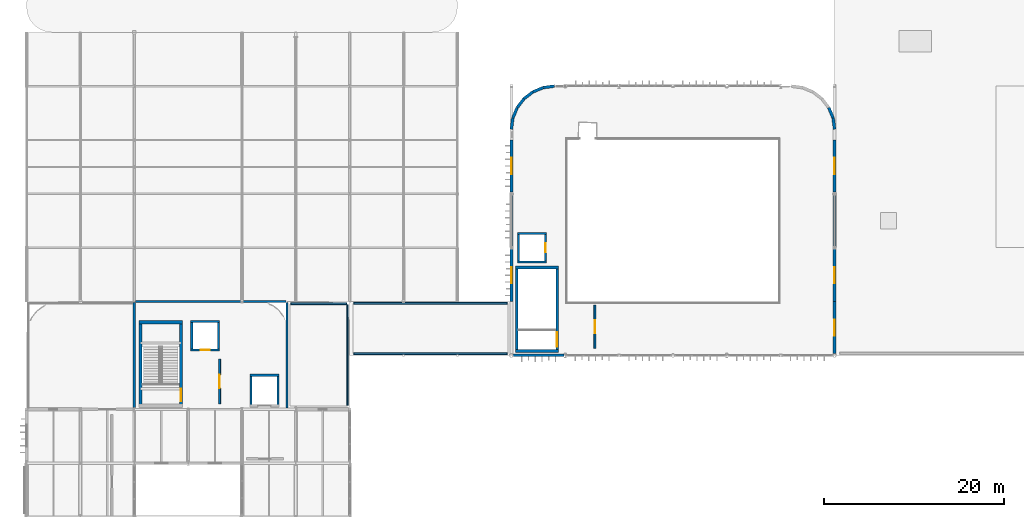
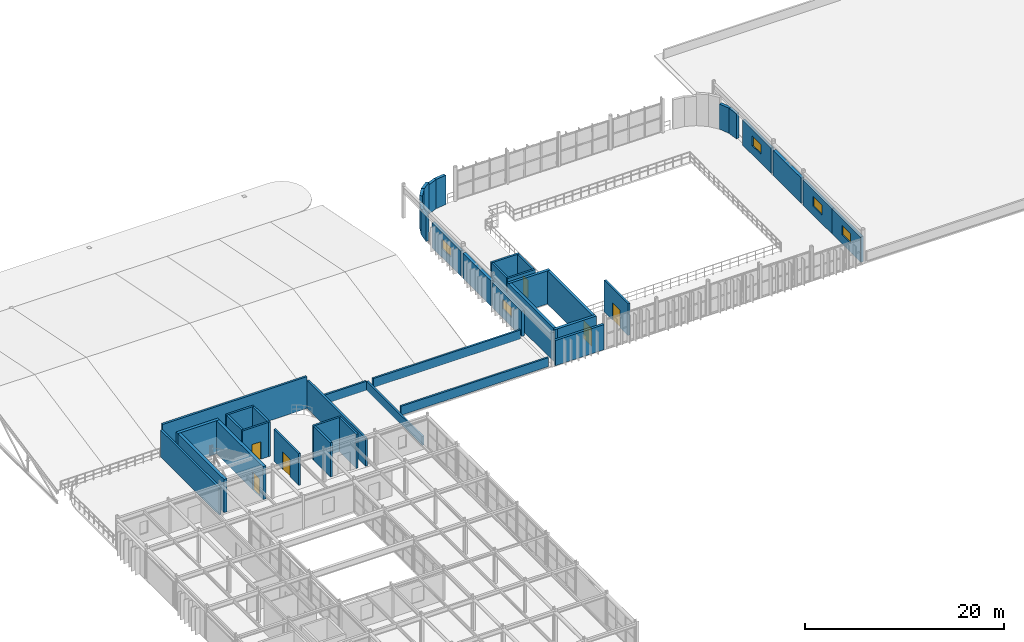
# One storey, part 62 of 83: 43 walls, 6 doors, 5 windows, 11 openings.
"""IFC4 building model written with IfcOpenShell, lengths in metres."""

from ifc_helpers import new_model, si_unit, direction, frame, frame_2d, origin, place, context, subcontext, project, spatial, rectangle, extrude, material, layer, layer_set, type_object, element, fill, save


model = new_model("IFC4")

# Units and contexts
model_context = context("Model", 3, precision=1e-05, world=origin(), true_north=direction((0.0, 1.0)))
body_context = subcontext(model_context, "Body", "Model", "MODEL_VIEW")
ifc_project = project(units=[si_unit("LENGTHUNIT", "METRE"), si_unit("AREAUNIT", "SQUARE_METRE"), si_unit("VOLUMEUNIT", "CUBIC_METRE"), si_unit("PLANEANGLEUNIT", "RADIAN"), si_unit("MASSUNIT", "GRAM", prefix="KILO")], contexts=[model_context])

# Site, building, storey
site_placement = place(None, origin())
site = spatial("IfcSite", under=ifc_project, at=site_placement, CompositionType="ELEMENT")
building_placement = place(site_placement, origin())
building = spatial("IfcBuilding", under=site, at=building_placement, Name="Varnakota Square Police Headquarters", CompositionType="ELEMENT")
storey_placement = place(building_placement, frame((0.0, 0.0, 18.0)))
storey = spatial("IfcBuildingStorey", under=building, at=storey_placement, Name="L04", CompositionType="ELEMENT", Elevation=18.0)

# Wall, opening, door
ifc_material_1 = material(Name="Concrete M40", Category="concrete")
ifc_layer_1 = layer(ifc_material_1, 0.22998046875, Name="Concrete M40")
ifc_layer_set_1 = layer_set([ifc_layer_1], Name="Concrete M40")
wall_type_1 = type_object("IfcWallType", Name="WL-CORE-230", PredefinedType="SHEAR", material=ifc_layer_set_1)
wall_1_placement = place(storey_placement, frame((24.284912109375, 69.60009765625, 0.0), z_axis=(0.0, 0.0, 1.0), x_axis=(1.0, 0.0, 0.0)))
wall_1 = element("IfcWall", 1, at=wall_1_placement, inside=storey, type_object=wall_type_1, Name="Lift shaft wall LF-P3 L04 S", PredefinedType="SHEAR", context=body_context, shape_type="SweptSolid", body=[
    extrude(rectangle(XDim=3.22998046875, YDim=0.22998046875, at=frame_2d((1.614990234375, 0.0))), origin(), (0.0, 0.0, 1.0), 4.199951171875),
])
opening_1_placement = place(wall_1_placement, frame((1.114990234375, 0.0, 0.0)))
opening_1 = element("IfcOpeningElement", 2, at=opening_1_placement, cuts=wall_1, Name="Opening LD036", PredefinedType="OPENING", context=body_context, shape_type="SweptSolid", body=[
    extrude(rectangle(XDim=1.0, YDim=2.14990234375, at=frame_2d((0.5, 1.074951171875))), frame((0.0, 0.125, 0.0), z_axis=(0.0, -1.0, 0.0), x_axis=(1.0, 0.0, 0.0)), (0.0, 0.0, 1.0), 0.25),
])
ifc_material_2 = material(Name="Brushed Grade 316 Stainless Steel", Category="steel")
door_type_1 = type_object("IfcDoorType", Name="DR-LD-PAX", OperationType="NOTDEFINED", PredefinedType="DOOR", material=ifc_material_2)
door_1_placement = place(opening_1_placement, origin())
door_1 = element("IfcDoor", 3, at=door_1_placement, inside=storey, type_object=door_type_1, Name="Lift sliding landing door LD036", OperationType="SLIDING_TO_LEFT", OverallHeight=2.14990234375, OverallWidth=1.0, PredefinedType="DOOR", context=body_context, shape_type="SweptSolid", body=[
    extrude(rectangle(XDim=1.0, YDim=2.14990234375, at=frame_2d((0.5, 1.074951171875))), frame((0.0, 0.02490234375, 0.0), z_axis=(0.0, -1.0, 0.0), x_axis=(1.0, 0.0, 0.0)), (0.0, 0.0, 1.0), 0.050048828125),
])
fill(opening_1, door_1)

# Walls
wall_2_placement = place(storey_placement, frame((27.39990234375, 69.485107421875, 0.0), z_axis=(0.0, 0.0, 1.0), x_axis=(0.0, 1.0, 0.0)))
element("IfcWall", 4, at=wall_2_placement, inside=storey, type_object=wall_type_1, Name="Lift shaft wall LF-P3 L04 E", PredefinedType="SHEAR", context=body_context, shape_type="SweptSolid", body=[
    extrude(rectangle(XDim=3.429931640625, YDim=0.22998046875, at=frame_2d((1.71484375, 0.0))), origin(), (0.0, 0.0, 1.0), 4.199951171875),
])
wall_3_placement = place(storey_placement, frame((27.514892578125, 72.800048828125, 0.0), z_axis=(0.0, 0.0, 1.0), x_axis=(-1.0, 0.0, 0.0)))
element("IfcWall", 5, at=wall_3_placement, inside=storey, type_object=wall_type_1, Name="Lift shaft wall LF-P3 L04 N", PredefinedType="SHEAR", context=body_context, shape_type="SweptSolid", body=[
    extrude(rectangle(XDim=3.22998046875, YDim=0.22998046875, at=frame_2d((1.614990234375, 0.0))), origin(), (0.0, 0.0, 1.0), 4.199951171875),
])
wall_4_placement = place(storey_placement, frame((24.39990234375, 72.9150390625, 0.0), z_axis=(0.0, 0.0, 1.0), x_axis=(0.0, -1.0, 0.0)))
element("IfcWall", 6, at=wall_4_placement, inside=storey, type_object=wall_type_1, Name="Lift shaft wall LF-P3 L04 W", PredefinedType="SHEAR", context=body_context, shape_type="SweptSolid", body=[
    extrude(rectangle(XDim=3.429931640625, YDim=0.22998046875, at=frame_2d((1.71484375, 0.0))), origin(), (0.0, 0.0, 1.0), 4.199951171875),
])
wall_5_placement = place(storey_placement, frame((60.68505859375, 79.39990234375, 0.0), z_axis=(0.0, 0.0, 1.0), x_axis=(1.0, 0.0, 0.0)))
element("IfcWall", 7, at=wall_5_placement, inside=storey, type_object=wall_type_1, Name="Lift shaft wall LF-P4 L04 S", PredefinedType="SHEAR", context=body_context, shape_type="SweptSolid", body=[
    extrude(rectangle(XDim=3.22998046875, YDim=0.22998046875, at=frame_2d((1.614990234375, 0.0))), origin(), (0.0, 0.0, 1.0), 4.199951171875),
])

# Wall, opening, door
wall_6_placement = place(storey_placement, frame((63.800048828125, 79.284912109375, 0.0), z_axis=(0.0, 0.0, 1.0), x_axis=(0.0, 1.0, 0.0)))
wall_6 = element("IfcWall", 8, at=wall_6_placement, inside=storey, type_object=wall_type_1, Name="Lift shaft wall LF-P4 L04 E", PredefinedType="SHEAR", context=body_context, shape_type="SweptSolid", body=[
    extrude(rectangle(XDim=3.43017578125, YDim=0.22998046875, at=frame_2d((1.715087890625, 0.0))), origin(), (0.0, 0.0, 1.0), 4.199951171875),
])
opening_2_placement = place(wall_6_placement, frame((1.215087890625, 0.0, 0.0)))
opening_2 = element("IfcOpeningElement", 9, at=opening_2_placement, cuts=wall_6, Name="Opening LD043", PredefinedType="OPENING", context=body_context, shape_type="SweptSolid", body=[
    extrude(rectangle(XDim=1.0, YDim=2.14990234375, at=frame_2d((0.5, 1.074951171875))), frame((0.0, 0.125, 0.0), z_axis=(0.0, -1.0, 0.0), x_axis=(1.0, 0.0, 0.0)), (0.0, 0.0, 1.0), 0.25),
])
door_2_placement = place(opening_2_placement, origin())
door_2 = element("IfcDoor", 10, at=door_2_placement, inside=storey, type_object=door_type_1, Name="Lift sliding landing door LD043", OperationType="SLIDING_TO_LEFT", OverallHeight=2.14990234375, OverallWidth=1.0, PredefinedType="DOOR", context=body_context, shape_type="SweptSolid", body=[
    extrude(rectangle(XDim=1.0, YDim=2.14990234375, at=frame_2d((0.5, 1.074951171875))), frame((0.0, 0.02490234375, 0.0), z_axis=(0.0, -1.0, 0.0), x_axis=(1.0, 0.0, 0.0)), (0.0, 0.0, 1.0), 0.050048828125),
])
fill(opening_2, door_2)

# Walls
wall_7_placement = place(storey_placement, frame((63.9150390625, 82.60009765625, 0.0), z_axis=(0.0, 0.0, 1.0), x_axis=(-1.0, 0.0, 0.0)))
element("IfcWall", 11, at=wall_7_placement, inside=storey, type_object=wall_type_1, Name="Lift shaft wall LF-P4 L04 N", PredefinedType="SHEAR", context=body_context, shape_type="SweptSolid", body=[
    extrude(rectangle(XDim=3.22998046875, YDim=0.22998046875, at=frame_2d((1.614990234375, 0.0))), origin(), (0.0, 0.0, 1.0), 4.199951171875),
])
wall_8_placement = place(storey_placement, frame((60.800048828125, 82.715087890625, 0.0), z_axis=(0.0, 0.0, 1.0), x_axis=(0.0, -1.0, 0.0)))
element("IfcWall", 12, at=wall_8_placement, inside=storey, type_object=wall_type_1, Name="Lift shaft wall LF-P4 L04 W", PredefinedType="SHEAR", context=body_context, shape_type="SweptSolid", body=[
    extrude(rectangle(XDim=3.43017578125, YDim=0.22998046875, at=frame_2d((1.715087890625, 0.0))), origin(), (0.0, 0.0, 1.0), 4.199951171875),
])
wall_9_placement = place(storey_placement, frame((34.0, 63.284912109375, 0.0), z_axis=(0.0, 0.0, 1.0), x_axis=(0.0, 1.0, 0.0)))
element("IfcWall", 13, at=wall_9_placement, inside=storey, type_object=wall_type_1, Name="Lift shaft wall LF-G1 L04 E", PredefinedType="SHEAR", context=body_context, shape_type="SweptSolid", body=[
    extrude(rectangle(XDim=3.630126953125, YDim=0.22998046875, at=frame_2d((1.81494140625, 0.0))), origin(), (0.0, 0.0, 1.0), 4.199951171875),
])
wall_10_placement = place(storey_placement, frame((34.114990234375, 66.800048828125, 0.0), z_axis=(0.0, 0.0, 1.0), x_axis=(-1.0, 0.0, 0.0)))
element("IfcWall", 14, at=wall_10_placement, inside=storey, type_object=wall_type_1, Name="Lift shaft wall LF-G1 L04 N", PredefinedType="SHEAR", context=body_context, shape_type="SweptSolid", body=[
    extrude(rectangle(XDim=3.22998046875, YDim=0.22998046875, at=frame_2d((1.614990234375, 0.0))), origin(), (0.0, 0.0, 1.0), 4.199951171875),
])
wall_11_placement = place(storey_placement, frame((31.0, 66.9150390625, 0.0), z_axis=(0.0, 0.0, 1.0), x_axis=(0.0, -1.0, 0.0)))
element("IfcWall", 15, at=wall_11_placement, inside=storey, type_object=wall_type_1, Name="Lift shaft wall LF-G1 L04 W", PredefinedType="SHEAR", context=body_context, shape_type="SweptSolid", body=[
    extrude(rectangle(XDim=3.630126953125, YDim=0.22998046875, at=frame_2d((1.81494140625, 0.0))), origin(), (0.0, 0.0, 1.0), 4.199951171875),
])
ifc_material_3 = material(Name="Concrete M50", Category="concrete")
ifc_layer_2 = layer(ifc_material_3, 0.31005859375, Name="Concrete M50")
ifc_layer_set_2 = layer_set([ifc_layer_2], Name="Concrete M50")
wall_type_2 = type_object("IfcWallType", Name="WL-CORE-310", PredefinedType="SHEAR", material=ifc_layer_set_2)
wall_12_placement = place(storey_placement, frame((60.445068359375, 69.5, 0.0), z_axis=(0.0, 0.0, 1.0), x_axis=(1.0, 0.0, 0.0)))
element("IfcWall", 16, at=wall_12_placement, inside=storey, type_object=wall_type_2, Name="Core C6 shear wall L04 S", PredefinedType="SHEAR", context=body_context, shape_type="SweptSolid", body=[
    extrude(rectangle(XDim=4.809814453125, YDim=0.31005859375, at=frame_2d((2.40478515625, 0.0))), origin(), (0.0, 0.0, 1.0), 4.06005859375),
])

# Wall, opening, door
wall_13_placement = place(storey_placement, frame((65.10009765625, 69.344970703125, 0.0), z_axis=(0.0, 0.0, 1.0), x_axis=(0.0, 1.0, 0.0)))
wall_13 = element("IfcWall", 17, at=wall_13_placement, inside=storey, type_object=wall_type_2, Name="Core C6 shear wall L04 E", PredefinedType="SHEAR", context=body_context, shape_type="SweptSolid", body=[
    extrude(rectangle(XDim=9.610107421875, YDim=0.31005859375, at=frame_2d((4.80517578125, 0.0))), origin(), (0.0, 0.0, 1.0), 4.06005859375),
])
opening_3_placement = place(wall_13_placement, frame((0.635009765625, 0.0, 0.0)))
opening_3 = element("IfcOpeningElement", 18, at=opening_3_placement, cuts=wall_13, Name="Opening SD096", PredefinedType="OPENING", context=body_context, shape_type="SweptSolid", body=[
    extrude(rectangle(XDim=1.60009765625, YDim=2.199951171875, at=frame_2d((0.800048828125, 1.10009765625))), frame((0.0, 0.1650390625, 0.0), z_axis=(0.0, -1.0, 0.0), x_axis=(1.0, 0.0, 0.0)), (0.0, 0.0, 1.0), 0.330078125),
])
ifc_material_4 = material(Name="Powder-Coated Galvanised Steel", Category="steel")
door_type_2 = type_object("IfcDoorType", Name="DR-ST-160", OperationType="NOTDEFINED", PredefinedType="DOOR", material=ifc_material_4)
door_3_placement = place(opening_3_placement, origin())
door_3 = element("IfcDoor", 19, at=door_3_placement, inside=storey, type_object=door_type_2, Name="Protected stair door SD096", OperationType="DOUBLE_DOOR_SINGLE_SWING", OverallHeight=2.199951171875, OverallWidth=1.60009765625, PredefinedType="DOOR", context=body_context, shape_type="SweptSolid", body=[
    extrude(rectangle(XDim=1.60009765625, YDim=2.199951171875, at=frame_2d((0.800048828125, 1.10009765625))), frame((0.0, 0.02490234375, 0.0), z_axis=(0.0, -1.0, 0.0), x_axis=(1.0, 0.0, 0.0)), (0.0, 0.0, 1.0), 0.050048828125),
])
fill(opening_3, door_3)

# Walls
wall_14_placement = place(storey_placement, frame((65.2548828125, 78.800048828125, 0.0), z_axis=(0.0, 0.0, 1.0), x_axis=(-1.0, 0.0, 0.0)))
element("IfcWall", 20, at=wall_14_placement, inside=storey, type_object=wall_type_2, Name="Core C6 shear wall L04 N", PredefinedType="SHEAR", context=body_context, shape_type="SweptSolid", body=[
    extrude(rectangle(XDim=4.809814453125, YDim=0.31005859375, at=frame_2d((2.40478515625, 0.0))), origin(), (0.0, 0.0, 1.0), 4.06005859375),
])
wall_15_placement = place(storey_placement, frame((60.60009765625, 78.955078125, 0.0), z_axis=(0.0, 0.0, 1.0), x_axis=(0.0, -1.0, 0.0)))
element("IfcWall", 21, at=wall_15_placement, inside=storey, type_object=wall_type_2, Name="Core C6 shear wall L04 W", PredefinedType="SHEAR", context=body_context, shape_type="SweptSolid", body=[
    extrude(rectangle(XDim=9.610107421875, YDim=0.31005859375, at=frame_2d((4.80517578125, 0.0))), origin(), (0.0, 0.0, 1.0), 4.06005859375),
])

# Wall, opening, door
ifc_layer_3 = layer(ifc_material_3, 0.35009765625, Name="Concrete M50")
ifc_layer_set_3 = layer_set([ifc_layer_3], Name="Concrete M50")
wall_type_3 = type_object("IfcWallType", Name="WL-CORE-350", PredefinedType="SHEAR", material=ifc_layer_set_3)
wall_16_placement = place(storey_placement, frame((23.199951171875, 63.22509765625, 0.0), z_axis=(0.0, 0.0, 1.0), x_axis=(0.0, 1.0, 0.0)))
wall_16 = element("IfcWall", 22, at=wall_16_placement, inside=storey, type_object=wall_type_3, Name="Core C5 shear wall L04 E", PredefinedType="SHEAR", context=body_context, shape_type="SweptSolid", body=[
    extrude(rectangle(XDim=9.64990234375, YDim=0.35009765625, at=frame_2d((4.824951171875, 0.0))), origin(), (0.0, 0.0, 1.0), 4.06005859375),
])
opening_4_placement = place(wall_16_placement, frame((0.655029296875, 0.0, 0.0)))
opening_4 = element("IfcOpeningElement", 23, at=opening_4_placement, cuts=wall_16, Name="Opening SD082", PredefinedType="OPENING", context=body_context, shape_type="SweptSolid", body=[
    extrude(rectangle(XDim=1.39990234375, YDim=2.199951171875, at=frame_2d((0.699951171875, 1.10009765625))), frame((0.0, 0.18505859375, 0.0), z_axis=(0.0, -1.0, 0.0), x_axis=(1.0, 0.0, 0.0)), (0.0, 0.0, 1.0), 0.3701171875),
])
door_type_3 = type_object("IfcDoorType", Name="DR-ST-140", OperationType="NOTDEFINED", PredefinedType="DOOR", material=ifc_material_4)
door_4_placement = place(opening_4_placement, origin())
door_4 = element("IfcDoor", 24, at=door_4_placement, inside=storey, type_object=door_type_3, Name="Protected stair door SD082", OperationType="DOUBLE_DOOR_SINGLE_SWING", OverallHeight=2.199951171875, OverallWidth=1.39990234375, PredefinedType="DOOR", context=body_context, shape_type="SweptSolid", body=[
    extrude(rectangle(XDim=1.39990234375, YDim=2.199951171875, at=frame_2d((0.699951171875, 1.10009765625))), frame((0.0, 0.02490234375, 0.0), z_axis=(0.0, -1.0, 0.0), x_axis=(1.0, 0.0, 0.0)), (0.0, 0.0, 1.0), 0.050048828125),
])
fill(opening_4, door_4)

# Walls
wall_17_placement = place(storey_placement, frame((23.375, 72.699951171875, 0.0), z_axis=(0.0, 0.0, 1.0), x_axis=(-1.0, 0.0, 0.0)))
element("IfcWall", 25, at=wall_17_placement, inside=storey, type_object=wall_type_3, Name="Core C5 shear wall L04 N", PredefinedType="SHEAR", context=body_context, shape_type="SweptSolid", body=[
    extrude(rectangle(XDim=4.85009765625, YDim=0.35009765625, at=frame_2d((2.425048828125, 0.0))), origin(), (0.0, 0.0, 1.0), 4.06005859375),
])
wall_18_placement = place(storey_placement, frame((18.699951171875, 72.875, 0.0), z_axis=(0.0, 0.0, 1.0), x_axis=(0.0, -1.0, 0.0)))
element("IfcWall", 26, at=wall_18_placement, inside=storey, type_object=wall_type_3, Name="Core C5 shear wall L04 W", PredefinedType="SHEAR", context=body_context, shape_type="SweptSolid", body=[
    extrude(rectangle(XDim=9.64990234375, YDim=0.35009765625, at=frame_2d((4.824951171875, 0.0))), origin(), (0.0, 0.0, 1.0), 4.06005859375),
])
ifc_layer_4 = layer(ifc_material_1, 0.239990234375, Name="Concrete M40")
ifc_layer_set_4 = layer_set([ifc_layer_4], Name="Concrete M40")
wall_type_4 = type_object("IfcWallType", Name="WL-EXT-240", PredefinedType="SOLIDWALL", material=ifc_layer_set_4)
wall_19_placement = place(storey_placement, frame((18.12890625, 75.0, 0.0), z_axis=(0.0, 0.0, 1.0), x_axis=(1.0, 0.0, 0.0)))
element("IfcWall", 27, at=wall_19_placement, inside=storey, type_object=wall_type_4, Name="L04 Core C5 lobby enclosure", PredefinedType="SOLIDWALL", context=body_context, shape_type="SweptSolid", body=[
    extrude(rectangle(XDim=16.74609375, YDim=0.239990234375, at=frame_2d((8.373046875, 0.0))), origin(), (0.0, 0.0, 1.0), 3.89501953125),
])
wall_20_placement = place(storey_placement, frame((35.0, 63.12890625, 0.0), z_axis=(0.0, 0.0, 1.0), x_axis=(0.0, 1.0, 0.0)))
element("IfcWall", 28, at=wall_20_placement, inside=storey, type_object=wall_type_4, Name="L04 Core C5 lobby enclosure", PredefinedType="SOLIDWALL", context=body_context, shape_type="SweptSolid", body=[
    extrude(rectangle(XDim=11.74609375, YDim=0.239990234375, at=frame_2d((5.873046875, 0.0))), origin(), (0.0, 0.0, 1.0), 3.43994140625),
])
wall_21_placement = place(storey_placement, frame((18.0, 63.12890625, 0.0), z_axis=(0.0, 0.0, 1.0), x_axis=(0.0, 1.0, 0.0)))
element("IfcWall", 29, at=wall_21_placement, inside=storey, type_object=wall_type_4, Name="L04 Core C5 lobby enclosure", PredefinedType="SOLIDWALL", context=body_context, shape_type="SweptSolid", body=[
    extrude(rectangle(XDim=11.74609375, YDim=0.239990234375, at=frame_2d((5.873046875, 0.0))), origin(), (0.0, 0.0, 1.0), 3.2900390625),
])
ifc_layer_5 = layer(ifc_material_1, 0.280029296875, Name="Concrete M40")
ifc_layer_set_5 = layer_set([ifc_layer_5], Name="Concrete M40")
wall_type_5 = type_object("IfcWallType", Name="WL-EXT-280", PredefinedType="SOLIDWALL", material=ifc_layer_set_5)
wall_22_placement = place(storey_placement, frame((60.207275390625, 69.0, 0.0), z_axis=(0.0, 0.0, 1.0), x_axis=(1.0, 0.0, 0.0)))
element("IfcWall", 30, at=wall_22_placement, inside=storey, type_object=wall_type_5, Name="Exterior wall EW-L04-0536", PredefinedType="SOLIDWALL", context=body_context, shape_type="SweptSolid", body=[
    extrude(rectangle(XDim=5.663818359375, YDim=0.280029296875, at=frame_2d((2.83203125, 0.0))), origin(), (0.0, 0.0, 1.0), 3.090087890625),
])

# Wall, opening, window
ifc_material_5 = material(Name="Precast concrete M40", Category="concrete")
ifc_layer_6 = layer(ifc_material_5, 0.320068359375, Name="Precast concrete M40")
ifc_layer_set_6 = layer_set([ifc_layer_6], Name="Precast concrete M40")
wall_type_6 = type_object("IfcWallType", Name="WL-EXT-320", PredefinedType="SOLIDWALL", material=ifc_layer_set_6)
wall_23_placement = place(storey_placement, frame((60.0, 75.0, 0.0), z_axis=(0.0, 0.0, 1.0), x_axis=(0.0, 1.0, 0.0)))
wall_23 = element("IfcWall", 31, at=wall_23_placement, inside=storey, type_object=wall_type_6, Name="Exterior wall EW-L04-0537", PredefinedType="SOLIDWALL", context=body_context, shape_type="SweptSolid", body=[
    extrude(rectangle(XDim=5.845947265625, YDim=0.320068359375, at=frame_2d((2.9228515625, 0.0))), origin(), (0.0, 0.0, 1.0), 3.090087890625),
])
opening_5_placement = place(wall_23_placement, frame((2.02294921875, 0.0, 1.10009765625)))
opening_5 = element("IfcOpeningElement", 32, at=opening_5_placement, cuts=wall_23, Name="Opening W05", PredefinedType="OPENING", context=body_context, shape_type="SweptSolid", body=[
    extrude(rectangle(XDim=1.800048828125, YDim=1.199951171875, at=frame_2d((0.89990234375, 0.60009765625))), frame((0.0, 0.169921875, 0.0), z_axis=(0.0, -1.0, 0.0), x_axis=(1.0, 0.0, 0.0)), (0.0, 0.0, 1.0), 0.340087890625),
])
ifc_material_6 = material(Name="Thermally Broken Aluminium Double-Glazed Window", Category="aluminium")
window_type = type_object("IfcWindowType", Name="WIN-05", PartitioningType="SINGLE_PANEL", PredefinedType="WINDOW", material=ifc_material_6)
window_1_placement = place(opening_5_placement, origin())
window_1 = element("IfcWindow", 33, at=window_1_placement, inside=storey, type_object=window_type, Name="Window WN-L04-0123", OverallHeight=1.199951171875, OverallWidth=1.800048828125, PartitioningType="SINGLE_PANEL", PredefinedType="WINDOW", context=body_context, shape_type="SweptSolid", body=[
    extrude(rectangle(XDim=1.800048828125, YDim=1.199951171875, at=frame_2d((0.89990234375, 0.60009765625))), frame((0.0, 0.030029296875, 0.0), z_axis=(0.0, -1.0, 0.0), x_axis=(1.0, 0.0, 0.0)), (0.0, 0.0, 1.0), 0.06005859375),
])
fill(opening_5, window_1)

# Wall
wall_24_placement = place(storey_placement, frame((60.0, 81.154052734375, 0.0), z_axis=(0.0, 0.0, 1.0), x_axis=(0.0, 1.0, 0.0)))
element("IfcWall", 34, at=wall_24_placement, inside=storey, type_object=wall_type_6, Name="Exterior wall EW-L04-0538", PredefinedType="SOLIDWALL", context=body_context, shape_type="SweptSolid", body=[
    extrude(rectangle(XDim=5.638671875, YDim=0.320068359375, at=frame_2d((2.8193359375, 0.0))), origin(), (0.0, 0.0, 1.0), 3.090087890625),
])

# Wall, opening, window
wall_25_placement = place(storey_placement, frame((60.0, 87.207275390625, 0.0), z_axis=(0.0, 0.0, 1.0), x_axis=(0.0, 1.0, 0.0)))
wall_25 = element("IfcWall", 35, at=wall_25_placement, inside=storey, type_object=wall_type_6, Name="Exterior wall EW-L04-0539", PredefinedType="SOLIDWALL", context=body_context, shape_type="SweptSolid", body=[
    extrude(rectangle(XDim=5.792724609375, YDim=0.320068359375, at=frame_2d((2.896484375, 0.0))), origin(), (0.0, 0.0, 1.0), 3.090087890625),
])
opening_6_placement = place(wall_25_placement, frame((1.996337890625, 0.0, 1.10009765625)))
opening_6 = element("IfcOpeningElement", 36, at=opening_6_placement, cuts=wall_25, Name="Opening W05", PredefinedType="OPENING", context=body_context, shape_type="SweptSolid", body=[
    extrude(rectangle(XDim=1.800048828125, YDim=1.199951171875, at=frame_2d((0.89990234375, 0.60009765625))), frame((0.0, 0.169921875, 0.0), z_axis=(0.0, -1.0, 0.0), x_axis=(1.0, 0.0, 0.0)), (0.0, 0.0, 1.0), 0.340087890625),
])
window_2_placement = place(opening_6_placement, origin())
window_2 = element("IfcWindow", 37, at=window_2_placement, inside=storey, type_object=window_type, Name="Window WN-L04-0124", OverallHeight=1.199951171875, OverallWidth=1.800048828125, PartitioningType="SINGLE_PANEL", PredefinedType="WINDOW", context=body_context, shape_type="SweptSolid", body=[
    extrude(rectangle(XDim=1.800048828125, YDim=1.199951171875, at=frame_2d((0.89990234375, 0.60009765625))), frame((0.0, 0.030029296875, 0.0), z_axis=(0.0, -1.0, 0.0), x_axis=(1.0, 0.0, 0.0)), (0.0, 0.0, 1.0), 0.06005859375),
])
fill(opening_6, window_2)

wall_26_placement = place(storey_placement, frame((96.0, 69.207275390625, 0.0), z_axis=(0.0, 0.0, 1.0), x_axis=(0.0, 1.0, 0.0)))
wall_26 = element("IfcWall", 38, at=wall_26_placement, inside=storey, type_object=wall_type_6, Name="Exterior wall EW-L04-0540", PredefinedType="SOLIDWALL", context=body_context, shape_type="SweptSolid", body=[
    extrude(rectangle(XDim=5.792724609375, YDim=0.320068359375, at=frame_2d((2.896484375, 0.0))), origin(), (0.0, 0.0, 1.0), 3.090087890625),
])
opening_7_placement = place(wall_26_placement, frame((1.996337890625, 0.0, 1.10009765625)))
opening_7 = element("IfcOpeningElement", 39, at=opening_7_placement, cuts=wall_26, Name="Opening W05", PredefinedType="OPENING", context=body_context, shape_type="SweptSolid", body=[
    extrude(rectangle(XDim=1.800048828125, YDim=1.199951171875, at=frame_2d((0.89990234375, 0.60009765625))), frame((0.0, 0.169921875, 0.0), z_axis=(0.0, -1.0, 0.0), x_axis=(1.0, 0.0, 0.0)), (0.0, 0.0, 1.0), 0.340087890625),
])
window_3_placement = place(opening_7_placement, origin())
window_3 = element("IfcWindow", 40, at=window_3_placement, inside=storey, type_object=window_type, Name="Window WN-L04-0125", OverallHeight=1.199951171875, OverallWidth=1.800048828125, PartitioningType="SINGLE_PANEL", PredefinedType="WINDOW", context=body_context, shape_type="SweptSolid", body=[
    extrude(rectangle(XDim=1.800048828125, YDim=1.199951171875, at=frame_2d((0.89990234375, 0.60009765625))), frame((0.0, 0.030029296875, 0.0), z_axis=(0.0, -1.0, 0.0), x_axis=(1.0, 0.0, 0.0)), (0.0, 0.0, 1.0), 0.06005859375),
])
fill(opening_7, window_3)

wall_27_placement = place(storey_placement, frame((96.0, 75.0, 0.0), z_axis=(0.0, 0.0, 1.0), x_axis=(0.0, 1.0, 0.0)))
wall_27 = element("IfcWall", 41, at=wall_27_placement, inside=storey, type_object=wall_type_6, Name="Exterior wall EW-L04-0541", PredefinedType="SOLIDWALL", context=body_context, shape_type="SweptSolid", body=[
    extrude(rectangle(XDim=5.845947265625, YDim=0.320068359375, at=frame_2d((2.9228515625, 0.0))), origin(), (0.0, 0.0, 1.0), 3.090087890625),
])
opening_8_placement = place(wall_27_placement, frame((2.02294921875, 0.0, 1.10009765625)))
opening_8 = element("IfcOpeningElement", 42, at=opening_8_placement, cuts=wall_27, Name="Opening W05", PredefinedType="OPENING", context=body_context, shape_type="SweptSolid", body=[
    extrude(rectangle(XDim=1.800048828125, YDim=1.199951171875, at=frame_2d((0.89990234375, 0.60009765625))), frame((0.0, 0.169921875, 0.0), z_axis=(0.0, -1.0, 0.0), x_axis=(1.0, 0.0, 0.0)), (0.0, 0.0, 1.0), 0.340087890625),
])
window_4_placement = place(opening_8_placement, origin())
window_4 = element("IfcWindow", 43, at=window_4_placement, inside=storey, type_object=window_type, Name="Window WN-L04-0126", OverallHeight=1.199951171875, OverallWidth=1.800048828125, PartitioningType="SINGLE_PANEL", PredefinedType="WINDOW", context=body_context, shape_type="SweptSolid", body=[
    extrude(rectangle(XDim=1.800048828125, YDim=1.199951171875, at=frame_2d((0.89990234375, 0.60009765625))), frame((0.0, 0.030029296875, 0.0), z_axis=(0.0, -1.0, 0.0), x_axis=(1.0, 0.0, 0.0)), (0.0, 0.0, 1.0), 0.06005859375),
])
fill(opening_8, window_4)

# Wall
wall_28_placement = place(storey_placement, frame((96.0, 81.154052734375, 0.0), z_axis=(0.0, 0.0, 1.0), x_axis=(0.0, 1.0, 0.0)))
element("IfcWall", 44, at=wall_28_placement, inside=storey, type_object=wall_type_6, Name="Exterior wall EW-L04-0542", PredefinedType="SOLIDWALL", context=body_context, shape_type="SweptSolid", body=[
    extrude(rectangle(XDim=5.638671875, YDim=0.320068359375, at=frame_2d((2.8193359375, 0.0))), origin(), (0.0, 0.0, 1.0), 3.090087890625),
])

# Wall, opening, window
wall_29_placement = place(storey_placement, frame((96.0, 87.207275390625, 0.0), z_axis=(0.0, 0.0, 1.0), x_axis=(0.0, 1.0, 0.0)))
wall_29 = element("IfcWall", 45, at=wall_29_placement, inside=storey, type_object=wall_type_6, Name="Exterior wall EW-L04-0543", PredefinedType="SOLIDWALL", context=body_context, shape_type="SweptSolid", body=[
    extrude(rectangle(XDim=5.792724609375, YDim=0.320068359375, at=frame_2d((2.896484375, 0.0))), origin(), (0.0, 0.0, 1.0), 3.090087890625),
])
opening_9_placement = place(wall_29_placement, frame((1.996337890625, 0.0, 1.10009765625)))
opening_9 = element("IfcOpeningElement", 46, at=opening_9_placement, cuts=wall_29, Name="Opening W05", PredefinedType="OPENING", context=body_context, shape_type="SweptSolid", body=[
    extrude(rectangle(XDim=1.800048828125, YDim=1.199951171875, at=frame_2d((0.89990234375, 0.60009765625))), frame((0.0, 0.169921875, 0.0), z_axis=(0.0, -1.0, 0.0), x_axis=(1.0, 0.0, 0.0)), (0.0, 0.0, 1.0), 0.340087890625),
])
window_5_placement = place(opening_9_placement, origin())
window_5 = element("IfcWindow", 47, at=window_5_placement, inside=storey, type_object=window_type, Name="Window WN-L04-0127", OverallHeight=1.199951171875, OverallWidth=1.800048828125, PartitioningType="SINGLE_PANEL", PredefinedType="WINDOW", context=body_context, shape_type="SweptSolid", body=[
    extrude(rectangle(XDim=1.800048828125, YDim=1.199951171875, at=frame_2d((0.89990234375, 0.60009765625))), frame((0.0, 0.030029296875, 0.0), z_axis=(0.0, -1.0, 0.0), x_axis=(1.0, 0.0, 0.0)), (0.0, 0.0, 1.0), 0.06005859375),
])
fill(opening_9, window_5)

# Walls
for number, where, z_axis, x_axis, name in (
    (48, (64.800048828125, 99.0, 0.0), (0.0, 0.0, 1.0), (-0.991444346045, -0.130530106475, 0.0), "Exterior wall EW-L04-0544"),
    (49, (63.5576171875, 98.83642578125, 0.0), (0.0, 0.0, 1.0), (-0.92389335771, -0.382650053678, 0.0), "Exterior wall EW-L04-0545"),
):
    element("IfcWall", number, at=place(storey_placement, frame(where, z_axis=z_axis, x_axis=x_axis)), inside=storey, type_object=wall_type_6, Name=name, PredefinedType="SOLIDWALL", context=body_context, shape_type="SweptSolid", body=[
        extrude(rectangle(XDim=1.253173828125, YDim=0.320068359375, at=frame_2d((0.62646484375, 0.0))), origin(), (0.0, 0.0, 1.0), 3.590087890625),
    ])
for number, where, z_axis, x_axis, name in (
    (50, (62.39990234375, 98.35693359375, 0.0), (0.0, 0.0, 1.0), (-0.793239285824, -0.60891003886, 0.0), "Exterior wall EW-L04-0546"),
    (51, (61.406005859375, 97.593994140625, 0.0), (0.0, 0.0, 1.0), (-0.60891003886, -0.793239285824, 0.0), "Exterior wall EW-L04-0547"),
):
    element("IfcWall", number, at=place(storey_placement, frame(where, z_axis=z_axis, x_axis=x_axis)), inside=storey, type_object=wall_type_6, Name=name, PredefinedType="SOLIDWALL", context=body_context, shape_type="SweptSolid", body=[
        extrude(rectangle(XDim=1.2529296875, YDim=0.320068359375, at=frame_2d((0.62646484375, 0.0))), origin(), (0.0, 0.0, 1.0), 3.89501953125),
    ])
for number, where, z_axis, x_axis, name in (
    (52, (60.64306640625, 96.60009765625, 0.0), (0.0, 0.0, 1.0), (-0.382650053678, -0.92389335771, 0.0), "Exterior wall EW-L04-0548"),
    (53, (60.16357421875, 95.4423828125, 0.0), (0.0, 0.0, 1.0), (-0.130530106475, -0.991444346045, 0.0), "Exterior wall EW-L04-0549"),
    (54, (96.0, 94.199951171875, 0.0), (0.0, 0.0, 1.0), (-0.130530106475, 0.991444346045, 0.0), "Exterior wall EW-L04-0550"),
    (55, (95.83642578125, 95.4423828125, 0.0), (0.0, 0.0, 1.0), (-0.382650053678, 0.92389335771, 0.0), "Exterior wall EW-L04-0551"),
):
    element("IfcWall", number, at=place(storey_placement, frame(where, z_axis=z_axis, x_axis=x_axis)), inside=storey, type_object=wall_type_6, Name=name, PredefinedType="SOLIDWALL", context=body_context, shape_type="SweptSolid", body=[
        extrude(rectangle(XDim=1.253173828125, YDim=0.320068359375, at=frame_2d((0.62646484375, 0.0))), origin(), (0.0, 0.0, 1.0), 3.090087890625),
    ])
ifc_layer_7 = layer(ifc_material_5, 0.2099609375, Name="Precast concrete M40")
ifc_layer_set_7 = layer_set([ifc_layer_7], Name="Precast concrete M40")
wall_type_7 = type_object("IfcWallType", Name="WL-PAR-210", PredefinedType="PARAPET", material=ifc_layer_set_7)
for number, where, z_axis, x_axis, name in (
    (56, (42.455078125, 69.199951171875, 0.0), (0.0, 0.0, 1.0), (1.0, 0.0, 0.0), "Roof parapet wall PAR-L04-015"),
    (57, (59.544921875, 74.800048828125, 0.0), (0.0, 0.0, 1.0), (-1.0, 0.0, 0.0), "Roof parapet wall PAR-L04-016"),
):
    element("IfcWall", number, at=place(storey_placement, frame(where, z_axis=z_axis, x_axis=x_axis)), inside=storey, type_object=wall_type_7, Name=name, PredefinedType="PARAPET", context=body_context, shape_type="SweptSolid", body=[
        extrude(rectangle(XDim=17.08984375, YDim=0.2099609375, at=frame_2d((8.544921875, 0.0))), origin(), (0.0, 0.0, 1.0), 1.10009765625),
    ])
wall_30_placement = place(storey_placement, frame((41.75, 63.455078125, 0.0), z_axis=(0.0, 0.0, 1.0), x_axis=(0.0, 1.0, 0.0)))
element("IfcWall", 58, at=wall_30_placement, inside=storey, type_object=wall_type_7, Name="Roof parapet wall PAR-L04-017", PredefinedType="PARAPET", context=body_context, shape_type="SweptSolid", body=[
    extrude(rectangle(XDim=11.18994140625, YDim=0.2099609375, at=frame_2d((5.594970703125, 0.0))), origin(), (0.0, 0.0, 1.0), 1.10009765625),
])
wall_31_placement = place(storey_placement, frame((41.64501953125, 74.75, 0.0), z_axis=(0.0, 0.0, 1.0), x_axis=(-1.0, 0.0, 0.0)))
element("IfcWall", 59, at=wall_31_placement, inside=storey, type_object=wall_type_7, Name="Roof parapet wall PAR-L04-018", PredefinedType="PARAPET", context=body_context, shape_type="SweptSolid", body=[
    extrude(rectangle(XDim=6.18994140625, YDim=0.2099609375, at=frame_2d((3.094970703125, 0.0))), origin(), (0.0, 0.0, 1.0), 1.10009765625),
])

# Wall, opening, door
ifc_layer_8 = layer(ifc_material_1, 0.215087890625, Name="Concrete M40")
ifc_layer_set_8 = layer_set([ifc_layer_8], Name="Concrete M40")
wall_type_8 = type_object("IfcWallType", Name="WL-PRT-215F", PredefinedType="PARTITIONING", material=ifc_layer_set_8)
wall_32_placement = place(storey_placement, frame((27.5, 63.60009765625, 0.0), z_axis=(0.0, 0.0, 1.0), x_axis=(0.0, 1.0, 0.0)))
wall_32 = element("IfcWall", 60, at=wall_32_placement, inside=storey, type_object=wall_type_8, Name="Core C5 lobby fire partition L04", PredefinedType="PARTITIONING", context=body_context, shape_type="SweptSolid", body=[
    extrude(rectangle(XDim=5.0, YDim=0.215087890625, at=frame_2d((2.5, 0.0))), origin(), (0.0, 0.0, 1.0), 3.889892578125),
])
opening_10_placement = place(wall_32_placement, frame((1.75, 0.0, 0.0)))
opening_10 = element("IfcOpeningElement", 61, at=opening_10_placement, cuts=wall_32, Name="Opening FD089", PredefinedType="OPENING", context=body_context, shape_type="SweptSolid", body=[
    extrude(rectangle(XDim=1.5, YDim=2.14990234375, at=frame_2d((0.75, 1.074951171875))), frame((0.0, 0.117431640625, 0.0), z_axis=(0.0, -1.0, 0.0), x_axis=(1.0, 0.0, 0.0)), (0.0, 0.0, 1.0), 0.235107421875),
])
ifc_material_7 = material(Name="Smoke-Sealed Galvanised Acoustic Steel", Category="steel")
door_type_4 = type_object("IfcDoorType", Name="DR-FFL-150", OperationType="NOTDEFINED", PredefinedType="DOOR", material=ifc_material_7)
door_5_placement = place(opening_10_placement, origin())
door_5 = element("IfcDoor", 62, at=door_5_placement, inside=storey, type_object=door_type_4, Name="Core lobby smoke door FD089", OperationType="DOUBLE_DOOR_SINGLE_SWING", OverallHeight=2.14990234375, OverallWidth=1.5, PredefinedType="DOOR", context=body_context, shape_type="SweptSolid", body=[
    extrude(rectangle(XDim=1.5, YDim=2.14990234375, at=frame_2d((0.75, 1.074951171875))), frame((0.0, 0.02490234375, 0.0), z_axis=(0.0, -1.0, 0.0), x_axis=(1.0, 0.0, 0.0)), (0.0, 0.0, 1.0), 0.050048828125),
])
fill(opening_10, door_5)

wall_33_placement = place(storey_placement, frame((69.300048828125, 69.800048828125, 0.0), z_axis=(0.0, 0.0, 1.0), x_axis=(0.0, 1.0, 0.0)))
wall_33 = element("IfcWall", 63, at=wall_33_placement, inside=storey, type_object=wall_type_8, Name="Core C6 lobby fire partition L04", PredefinedType="PARTITIONING", context=body_context, shape_type="SweptSolid", body=[
    extrude(rectangle(XDim=4.800048828125, YDim=0.215087890625, at=frame_2d((2.39990234375, 0.0))), origin(), (0.0, 0.0, 1.0), 3.889892578125),
])
opening_11_placement = place(wall_33_placement, frame((1.64990234375, 0.0, 0.0)))
opening_11 = element("IfcOpeningElement", 64, at=opening_11_placement, cuts=wall_33, Name="Opening FD102", PredefinedType="OPENING", context=body_context, shape_type="SweptSolid", body=[
    extrude(rectangle(XDim=1.5, YDim=2.14990234375, at=frame_2d((0.75, 1.074951171875))), frame((0.0, 0.117431640625, 0.0), z_axis=(0.0, -1.0, 0.0), x_axis=(1.0, 0.0, 0.0)), (0.0, 0.0, 1.0), 0.235107421875),
])
door_6_placement = place(opening_11_placement, origin())
door_6 = element("IfcDoor", 65, at=door_6_placement, inside=storey, type_object=door_type_4, Name="Core lobby smoke door FD102", OperationType="DOUBLE_DOOR_SINGLE_SWING", OverallHeight=2.14990234375, OverallWidth=1.5, PredefinedType="DOOR", context=body_context, shape_type="SweptSolid", body=[
    extrude(rectangle(XDim=1.5, YDim=2.14990234375, at=frame_2d((0.75, 1.074951171875))), frame((0.0, 0.02490234375, 0.0), z_axis=(0.0, -1.0, 0.0), x_axis=(1.0, 0.0, 0.0)), (0.0, 0.0, 1.0), 0.050048828125),
])
fill(opening_11, door_6)

save(model, "model.ifc")
